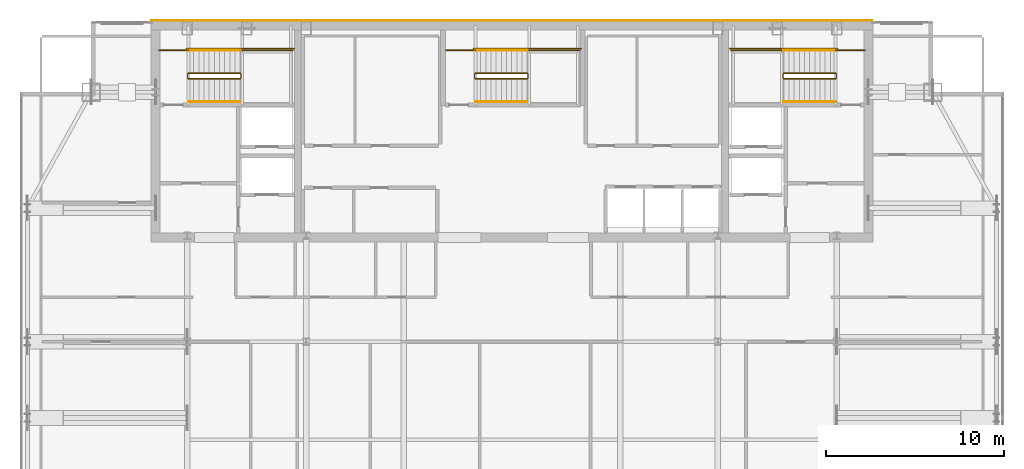
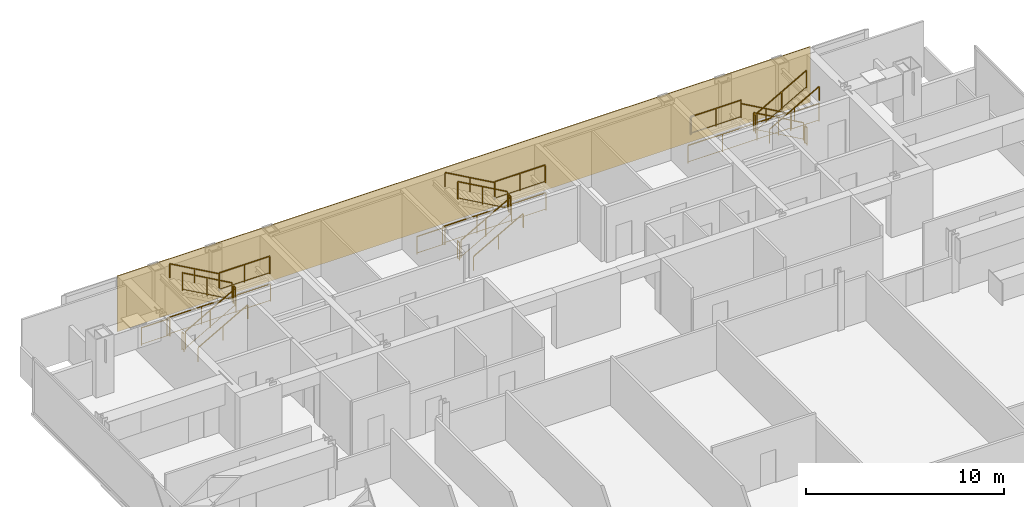
# One storey, part 26 of 26: 27 railings, 1 covering.
"""IFC4 building model written with IfcOpenShell, lengths in metres."""

from ifc_helpers import new_model, si_unit, direction, frame, origin, origin_2d, place, context, subcontext, project, spatial, polyline, rectangle, outline, extrude, material, layer, layer_set, type_object, element, save


model = new_model("IFC4")

# Units and contexts
model_context = context("Model", 3, precision=1e-05, world=origin(), true_north=direction((0.0, 1.0)))
body_context = subcontext(model_context, "Body", "Model", "MODEL_VIEW")
ifc_project = project(units=[si_unit("LENGTHUNIT", "METRE"), si_unit("AREAUNIT", "SQUARE_METRE"), si_unit("VOLUMEUNIT", "CUBIC_METRE"), si_unit("PLANEANGLEUNIT", "RADIAN"), si_unit("MASSUNIT", "GRAM", prefix="KILO")], contexts=[model_context])

# Site, building, storey
site_placement = place(None, origin())
site = spatial("IfcSite", under=ifc_project, at=site_placement, CompositionType="ELEMENT")
building_placement = place(site_placement, origin())
building = spatial("IfcBuilding", under=site, at=building_placement, Name="Khoronbel Lancet Exchange", CompositionType="ELEMENT")
storey_placement = place(building_placement, frame((0.0, 0.0, 287.800048828125)))
storey = spatial("IfcBuildingStorey", under=building, at=storey_placement, Name="L74", CompositionType="ELEMENT", Elevation=287.800048828125)

# Covering
ifc_material_1 = material(Name="Honed Egyptian Limestone & Bronze Rainscreen", Category="masonry")
ifc_layer = layer(ifc_material_1, 0.050048828125, Name="Honed Egyptian Limestone & Bronze Rainscreen")
ifc_layer_set = layer_set([ifc_layer], Name="Honed Egyptian Limestone & Bronze Rainscreen")
covering_type = type_object("IfcCoveringType", Name="COV-CLAD1", PredefinedType="CLADDING", material=ifc_layer_set)
covering_placement = place(storey_placement, origin())
element("IfcCovering", 1, at=covering_placement, inside=storey, type_object=covering_type, Name="Level L74 north rear-core stone and bronze rainscreen cladding", PredefinedType="CLADDING", context=body_context, shape_type="SweptSolid", body=[
    extrude(outline(polyline([(16.199951171875, 53.699951171875), (56.699951171875, 53.699951171875), (56.699951171875, 53.75), (16.199951171875, 53.75), (16.199951171875, 53.699951171875)])), origin(), (0.0, 0.0, 1.0), 3.43994140625),
])

# Railings
ifc_material_2 = material(Name="Painted Steel Balustrade", Category="steel")
railing_type_1 = type_object("IfcRailingType", Name="RL-STG110", PredefinedType="GUARDRAIL", material=ifc_material_2)
railing_1_placement = place(storey_placement, frame((18.300048828125, 50.449951171875, 0.16357421875)))
element("IfcRailing", 2, at=railing_1_placement, inside=storey, type_object=railing_type_1, Name="L74 ST1 stair guard 1", PredefinedType="GUARDRAIL", context=body_context, shape_type="SweptSolid", body=[
    extrude(rectangle(XDim=0.048095703125, YDim=0.048095703125, at=origin_2d()), frame((0.0, 0.0, 1.09619140625), z_axis=(0.870897200241, 0.0, 0.491465224214), x_axis=(0.0, 1.0, 0.0)), (0.0, 0.0, 1.0), 3.329833984375),
    extrude(rectangle(XDim=0.02392578125, YDim=0.02392578125, at=origin_2d()), frame((0.0, 0.0, 0.080078125), z_axis=(0.870897200241, 0.0, 0.491465224214), x_axis=(0.0, 1.0, 0.0)), (0.0, 0.0, 1.0), 3.329833984375),
    extrude(rectangle(XDim=0.0419921875, YDim=0.0419921875, at=origin_2d()), origin(), (0.0, 0.0, 1.0), 1.072021484375),
    extrude(rectangle(XDim=0.0419921875, YDim=0.0419921875, at=origin_2d()), frame((1.449951171875, 0.0, 0.818359375)), (0.0, 0.0, 1.0), 1.072021484375),
    extrude(rectangle(XDim=0.0419921875, YDim=0.0419921875, at=origin_2d()), frame((2.89990234375, 0.0, 1.636474609375)), (0.0, 0.0, 1.0), 1.072021484375),
])
railing_2_placement = place(storey_placement, frame((21.25, 50.5, 1.800048828125)))
element("IfcRailing", 3, at=railing_2_placement, inside=storey, type_object=railing_type_1, Name="L74 ST1 stair guard 2", PredefinedType="GUARDRAIL", context=body_context, shape_type="SweptSolid", body=[
    extrude(rectangle(XDim=0.048095703125, YDim=0.048095703125, at=origin_2d()), frame((0.0, 0.0, 1.09619140625), z_axis=(0.0, 1.0, 0.0), x_axis=(-1.0, 0.0, 0.0)), (0.0, 0.0, 1.0), 0.219970703125),
    extrude(rectangle(XDim=0.02392578125, YDim=0.02392578125, at=origin_2d()), frame((0.0, 0.0, 0.080078125), z_axis=(0.0, 1.0, 0.0), x_axis=(-1.0, 0.0, 0.0)), (0.0, 0.0, 1.0), 0.219970703125),
    extrude(rectangle(XDim=0.0419921875, YDim=0.0419921875, at=origin_2d()), origin(), (0.0, 0.0, 1.0), 1.072021484375),
    extrude(rectangle(XDim=0.0419921875, YDim=0.0419921875, at=origin_2d()), frame((0.0, 0.219970703125, 0.0)), (0.0, 0.0, 1.0), 1.072021484375),
])
railing_3_placement = place(storey_placement, frame((21.199951171875, 52.050048828125, 1.800048828125)))
element("IfcRailing", 4, at=railing_3_placement, inside=storey, type_object=railing_type_1, Name="L74 ST1 stair guard 3", PredefinedType="GUARDRAIL", context=body_context, shape_type="SweptSolid", body=[
    extrude(rectangle(XDim=0.048095703125, YDim=0.048095703125, at=origin_2d()), frame((0.0, 0.0, 1.09619140625), z_axis=(1.0, 0.0, 0.0), x_axis=(0.0, 1.0, 0.0)), (0.0, 0.0, 1.0), 2.949951171875),
    extrude(rectangle(XDim=0.02392578125, YDim=0.02392578125, at=origin_2d()), frame((0.0, 0.0, 0.080078125), z_axis=(1.0, 0.0, 0.0), x_axis=(0.0, 1.0, 0.0)), (0.0, 0.0, 1.0), 2.949951171875),
    extrude(rectangle(XDim=0.0419921875, YDim=0.0419921875, at=origin_2d()), origin(), (0.0, 0.0, 1.0), 1.072021484375),
    extrude(rectangle(XDim=0.0419921875, YDim=0.0419921875, at=origin_2d()), frame((1.47509765625, 0.0, 0.0)), (0.0, 0.0, 1.0), 1.072021484375),
    extrude(rectangle(XDim=0.0419921875, YDim=0.0419921875, at=origin_2d()), frame((2.949951171875, 0.0, 0.0)), (0.0, 0.0, 1.0), 1.072021484375),
])
railing_4_placement = place(storey_placement, frame((21.199951171875, 50.77001953125, 1.963623046875)))
element("IfcRailing", 5, at=railing_4_placement, inside=storey, type_object=railing_type_1, Name="L74 ST1 stair guard 4", PredefinedType="GUARDRAIL", context=body_context, shape_type="SweptSolid", body=[
    extrude(rectangle(XDim=0.048095703125, YDim=0.048095703125, at=origin_2d()), frame((0.0, 0.0, 1.09619140625), z_axis=(-0.870928581787, 0.0, 0.491409610636), x_axis=(0.0, -1.0, 0.0)), (0.0, 0.0, 1.0), 3.32958984375),
    extrude(rectangle(XDim=0.02392578125, YDim=0.02392578125, at=origin_2d()), frame((0.0, 0.0, 0.080078125), z_axis=(-0.870928581787, 0.0, 0.491409610636), x_axis=(0.0, -1.0, 0.0)), (0.0, 0.0, 1.0), 3.32958984375),
    extrude(rectangle(XDim=0.0419921875, YDim=0.0419921875, at=origin_2d()), origin(), (0.0, 0.0, 1.0), 1.072021484375),
    extrude(rectangle(XDim=0.0419921875, YDim=0.0419921875, at=origin_2d()), frame((-1.449951171875, 0.0, 0.818115234375)), (0.0, 0.0, 1.0), 1.072021484375),
    extrude(rectangle(XDim=0.0419921875, YDim=0.0419921875, at=origin_2d()), frame((-2.89990234375, 0.0, 1.63623046875)), (0.0, 0.0, 1.0), 1.072021484375),
])
railing_5_placement = place(storey_placement, frame((18.25, 50.5, 0.0)))
element("IfcRailing", 6, at=railing_5_placement, inside=storey, type_object=railing_type_1, Name="L74 ST1 stair guard 5", PredefinedType="GUARDRAIL", context=body_context, shape_type="SweptSolid", body=[
    extrude(rectangle(XDim=0.048095703125, YDim=0.048095703125, at=origin_2d()), frame((0.0, 0.0, 1.09619140625), z_axis=(0.0, 1.0, 0.0), x_axis=(-1.0, 0.0, 0.0)), (0.0, 0.0, 1.0), 0.219970703125),
    extrude(rectangle(XDim=0.02392578125, YDim=0.02392578125, at=origin_2d()), frame((0.0, 0.0, 0.080078125), z_axis=(0.0, 1.0, 0.0), x_axis=(-1.0, 0.0, 0.0)), (0.0, 0.0, 1.0), 0.219970703125),
    extrude(rectangle(XDim=0.0419921875, YDim=0.0419921875, at=origin_2d()), origin(), (0.0, 0.0, 1.0), 1.072021484375),
    extrude(rectangle(XDim=0.0419921875, YDim=0.0419921875, at=origin_2d()), frame((0.0, 0.219970703125, 0.0)), (0.0, 0.0, 1.0), 1.072021484375),
])
railing_6_placement = place(storey_placement, frame((16.64990234375, 52.050048828125, 0.0)))
element("IfcRailing", 7, at=railing_6_placement, inside=storey, type_object=railing_type_1, Name="L74 ST1 stair guard 6", PredefinedType="GUARDRAIL", context=body_context, shape_type="SweptSolid", body=[
    extrude(rectangle(XDim=0.048095703125, YDim=0.048095703125, at=origin_2d()), frame((0.0, 0.0, 1.09619140625), z_axis=(1.0, 0.0, 0.0), x_axis=(0.0, 1.0, 0.0)), (0.0, 0.0, 1.0), 1.650146484375),
    extrude(rectangle(XDim=0.02392578125, YDim=0.02392578125, at=origin_2d()), frame((0.0, 0.0, 0.080078125), z_axis=(1.0, 0.0, 0.0), x_axis=(0.0, 1.0, 0.0)), (0.0, 0.0, 1.0), 1.650146484375),
    extrude(rectangle(XDim=0.0419921875, YDim=0.0419921875, at=origin_2d()), origin(), (0.0, 0.0, 1.0), 1.072021484375),
    extrude(rectangle(XDim=0.0419921875, YDim=0.0419921875, at=origin_2d()), frame((1.650146484375, 0.0, 0.0)), (0.0, 0.0, 1.0), 1.072021484375),
])
railing_7_placement = place(storey_placement, frame((18.199951171875, 52.14990234375, 0.0)))
element("IfcRailing", 8, at=railing_7_placement, inside=storey, type_object=railing_type_1, Name="L74 ST1 stair guard 7", PredefinedType="GUARDRAIL", context=body_context, shape_type="SweptSolid", body=[
    extrude(rectangle(XDim=0.048095703125, YDim=0.048095703125, at=origin_2d()), frame((0.0, 0.0, 1.09619140625), z_axis=(1.0, 0.0, 0.0), x_axis=(0.0, 1.0, 0.0)), (0.0, 0.0, 1.0), 6.050048828125),
    extrude(rectangle(XDim=0.02392578125, YDim=0.02392578125, at=origin_2d()), frame((0.0, 0.0, 0.080078125), z_axis=(1.0, 0.0, 0.0), x_axis=(0.0, 1.0, 0.0)), (0.0, 0.0, 1.0), 6.050048828125),
    extrude(rectangle(XDim=0.0419921875, YDim=0.0419921875, at=origin_2d()), origin(), (0.0, 0.0, 1.0), 1.072021484375),
    extrude(rectangle(XDim=0.0419921875, YDim=0.0419921875, at=origin_2d()), frame((2.0166015625, 0.0, 0.0)), (0.0, 0.0, 1.0), 1.072021484375),
    extrude(rectangle(XDim=0.0419921875, YDim=0.0419921875, at=origin_2d()), frame((4.033447265625, 0.0, 0.0)), (0.0, 0.0, 1.0), 1.072021484375),
    extrude(rectangle(XDim=0.0419921875, YDim=0.0419921875, at=origin_2d()), frame((6.050048828125, 0.0, 0.0)), (0.0, 0.0, 1.0), 1.072021484375),
])
railing_8_placement = place(storey_placement, frame((54.60009765625, 50.77001953125, 0.16357421875)))
element("IfcRailing", 9, at=railing_8_placement, inside=storey, type_object=railing_type_1, Name="L74 ST2 stair guard 1", PredefinedType="GUARDRAIL", context=body_context, shape_type="SweptSolid", body=[
    extrude(rectangle(XDim=0.048095703125, YDim=0.048095703125, at=origin_2d()), frame((0.0, 0.0, 1.09619140625), z_axis=(-0.870914908162, 0.0, 0.491433843708), x_axis=(0.0, -1.0, 0.0)), (0.0, 0.0, 1.0), 3.330078125),
    extrude(rectangle(XDim=0.02392578125, YDim=0.02392578125, at=origin_2d()), frame((0.0, 0.0, 0.080078125), z_axis=(-0.870914908162, 0.0, 0.491433843708), x_axis=(0.0, -1.0, 0.0)), (0.0, 0.0, 1.0), 3.330078125),
    extrude(rectangle(XDim=0.0419921875, YDim=0.0419921875, at=origin_2d()), origin(), (0.0, 0.0, 1.0), 1.072021484375),
    extrude(rectangle(XDim=0.0419921875, YDim=0.0419921875, at=origin_2d()), frame((-1.4501953125, 0.0, 0.818359375)), (0.0, 0.0, 1.0), 1.072021484375),
    extrude(rectangle(XDim=0.0419921875, YDim=0.0419921875, at=origin_2d()), frame((-2.900146484375, 0.0, 1.636474609375)), (0.0, 0.0, 1.0), 1.072021484375),
])
railing_9_placement = place(storey_placement, frame((51.64990234375, 50.719970703125, 1.800048828125)))
element("IfcRailing", 10, at=railing_9_placement, inside=storey, type_object=railing_type_1, Name="L74 ST2 stair guard 2", PredefinedType="GUARDRAIL", context=body_context, shape_type="SweptSolid", body=[
    extrude(rectangle(XDim=0.048095703125, YDim=0.048095703125, at=origin_2d()), frame((0.0, 0.0, 1.09619140625), z_axis=(0.0, -1.0, 0.0), x_axis=(1.0, 0.0, 0.0)), (0.0, 0.0, 1.0), 0.219970703125),
    extrude(rectangle(XDim=0.02392578125, YDim=0.02392578125, at=origin_2d()), frame((0.0, 0.0, 0.080078125), z_axis=(0.0, -1.0, 0.0), x_axis=(1.0, 0.0, 0.0)), (0.0, 0.0, 1.0), 0.219970703125),
    extrude(rectangle(XDim=0.0419921875, YDim=0.0419921875, at=origin_2d()), origin(), (0.0, 0.0, 1.0), 1.072021484375),
    extrude(rectangle(XDim=0.0419921875, YDim=0.0419921875, at=origin_2d()), frame((0.0, -0.219970703125, 0.0)), (0.0, 0.0, 1.0), 1.072021484375),
])
railing_10_placement = place(storey_placement, frame((51.699951171875, 52.050048828125, 1.800048828125)))
element("IfcRailing", 11, at=railing_10_placement, inside=storey, type_object=railing_type_1, Name="L74 ST2 stair guard 3", PredefinedType="GUARDRAIL", context=body_context, shape_type="SweptSolid", body=[
    extrude(rectangle(XDim=0.048095703125, YDim=0.048095703125, at=origin_2d()), frame((0.0, 0.0, 1.09619140625), z_axis=(-1.0, 0.0, 0.0), x_axis=(0.0, -1.0, 0.0)), (0.0, 0.0, 1.0), 2.949951171875),
    extrude(rectangle(XDim=0.02392578125, YDim=0.02392578125, at=origin_2d()), frame((0.0, 0.0, 0.080078125), z_axis=(-1.0, 0.0, 0.0), x_axis=(0.0, -1.0, 0.0)), (0.0, 0.0, 1.0), 2.949951171875),
    extrude(rectangle(XDim=0.0419921875, YDim=0.0419921875, at=origin_2d()), origin(), (0.0, 0.0, 1.0), 1.072021484375),
    extrude(rectangle(XDim=0.0419921875, YDim=0.0419921875, at=origin_2d()), frame((-1.47509765625, 0.0, 0.0)), (0.0, 0.0, 1.0), 1.072021484375),
    extrude(rectangle(XDim=0.0419921875, YDim=0.0419921875, at=origin_2d()), frame((-2.949951171875, 0.0, 0.0)), (0.0, 0.0, 1.0), 1.072021484375),
])
railing_11_placement = place(storey_placement, frame((51.699951171875, 50.449951171875, 1.963623046875)))
element("IfcRailing", 12, at=railing_11_placement, inside=storey, type_object=railing_type_1, Name="L74 ST2 stair guard 4", PredefinedType="GUARDRAIL", context=body_context, shape_type="SweptSolid", body=[
    extrude(rectangle(XDim=0.048095703125, YDim=0.048095703125, at=origin_2d()), frame((0.0, 0.0, 1.09619140625), z_axis=(0.870946286338, 0.0, 0.49137823142), x_axis=(0.0, 1.0, 0.0)), (0.0, 0.0, 1.0), 3.329833984375),
    extrude(rectangle(XDim=0.02392578125, YDim=0.02392578125, at=origin_2d()), frame((0.0, 0.0, 0.080078125), z_axis=(0.870946286338, 0.0, 0.49137823142), x_axis=(0.0, 1.0, 0.0)), (0.0, 0.0, 1.0), 3.329833984375),
    extrude(rectangle(XDim=0.0419921875, YDim=0.0419921875, at=origin_2d()), origin(), (0.0, 0.0, 1.0), 1.072021484375),
    extrude(rectangle(XDim=0.0419921875, YDim=0.0419921875, at=origin_2d()), frame((1.4501953125, 0.0, 0.818115234375)), (0.0, 0.0, 1.0), 1.072021484375),
    extrude(rectangle(XDim=0.0419921875, YDim=0.0419921875, at=origin_2d()), frame((2.900146484375, 0.0, 1.63623046875)), (0.0, 0.0, 1.0), 1.072021484375),
])
railing_12_placement = place(storey_placement, frame((54.64990234375, 50.719970703125, 0.0)))
element("IfcRailing", 13, at=railing_12_placement, inside=storey, type_object=railing_type_1, Name="L74 ST2 stair guard 5", PredefinedType="GUARDRAIL", context=body_context, shape_type="SweptSolid", body=[
    extrude(rectangle(XDim=0.048095703125, YDim=0.048095703125, at=origin_2d()), frame((0.0, 0.0, 1.09619140625), z_axis=(0.0, -1.0, 0.0), x_axis=(1.0, 0.0, 0.0)), (0.0, 0.0, 1.0), 0.219970703125),
    extrude(rectangle(XDim=0.02392578125, YDim=0.02392578125, at=origin_2d()), frame((0.0, 0.0, 0.080078125), z_axis=(0.0, -1.0, 0.0), x_axis=(1.0, 0.0, 0.0)), (0.0, 0.0, 1.0), 0.219970703125),
    extrude(rectangle(XDim=0.0419921875, YDim=0.0419921875, at=origin_2d()), origin(), (0.0, 0.0, 1.0), 1.072021484375),
    extrude(rectangle(XDim=0.0419921875, YDim=0.0419921875, at=origin_2d()), frame((0.0, -0.219970703125, 0.0)), (0.0, 0.0, 1.0), 1.072021484375),
])
railing_13_placement = place(storey_placement, frame((56.25, 52.050048828125, 0.0)))
element("IfcRailing", 14, at=railing_13_placement, inside=storey, type_object=railing_type_1, Name="L74 ST2 stair guard 6", PredefinedType="GUARDRAIL", context=body_context, shape_type="SweptSolid", body=[
    extrude(rectangle(XDim=0.048095703125, YDim=0.048095703125, at=origin_2d()), frame((0.0, 0.0, 1.09619140625), z_axis=(-1.0, 0.0, 0.0), x_axis=(0.0, -1.0, 0.0)), (0.0, 0.0, 1.0), 1.64990234375),
    extrude(rectangle(XDim=0.02392578125, YDim=0.02392578125, at=origin_2d()), frame((0.0, 0.0, 0.080078125), z_axis=(-1.0, 0.0, 0.0), x_axis=(0.0, -1.0, 0.0)), (0.0, 0.0, 1.0), 1.64990234375),
    extrude(rectangle(XDim=0.0419921875, YDim=0.0419921875, at=origin_2d()), origin(), (0.0, 0.0, 1.0), 1.072021484375),
    extrude(rectangle(XDim=0.0419921875, YDim=0.0419921875, at=origin_2d()), frame((-1.64990234375, 0.0, 0.0)), (0.0, 0.0, 1.0), 1.072021484375),
])
railing_14_placement = place(storey_placement, frame((54.699951171875, 52.14990234375, 0.0)))
element("IfcRailing", 15, at=railing_14_placement, inside=storey, type_object=railing_type_1, Name="L74 ST2 stair guard 7", PredefinedType="GUARDRAIL", context=body_context, shape_type="SweptSolid", body=[
    extrude(rectangle(XDim=0.048095703125, YDim=0.048095703125, at=origin_2d()), frame((0.0, 0.0, 1.09619140625), z_axis=(-1.0, 0.0, 0.0), x_axis=(0.0, -1.0, 0.0)), (0.0, 0.0, 1.0), 6.050048828125),
    extrude(rectangle(XDim=0.02392578125, YDim=0.02392578125, at=origin_2d()), frame((0.0, 0.0, 0.080078125), z_axis=(-1.0, 0.0, 0.0), x_axis=(0.0, -1.0, 0.0)), (0.0, 0.0, 1.0), 6.050048828125),
    extrude(rectangle(XDim=0.0419921875, YDim=0.0419921875, at=origin_2d()), origin(), (0.0, 0.0, 1.0), 1.072021484375),
    extrude(rectangle(XDim=0.0419921875, YDim=0.0419921875, at=origin_2d()), frame((-2.0166015625, 0.0, 0.0)), (0.0, 0.0, 1.0), 1.072021484375),
    extrude(rectangle(XDim=0.0419921875, YDim=0.0419921875, at=origin_2d()), frame((-4.033447265625, 0.0, 0.0)), (0.0, 0.0, 1.0), 1.072021484375),
    extrude(rectangle(XDim=0.0419921875, YDim=0.0419921875, at=origin_2d()), frame((-6.050048828125, 0.0, 0.0)), (0.0, 0.0, 1.0), 1.072021484375),
])
railing_15_placement = place(storey_placement, frame((34.39990234375, 50.449951171875, 0.16357421875)))
element("IfcRailing", 16, at=railing_15_placement, inside=storey, type_object=railing_type_1, Name="L74 ST3 stair guard 1", PredefinedType="GUARDRAIL", context=body_context, shape_type="SweptSolid", body=[
    extrude(rectangle(XDim=0.048095703125, YDim=0.048095703125, at=origin_2d()), frame((0.0, 0.0, 1.09619140625), z_axis=(0.870914908162, 0.0, 0.491433843708), x_axis=(0.0, 1.0, 0.0)), (0.0, 0.0, 1.0), 3.330078125),
    extrude(rectangle(XDim=0.02392578125, YDim=0.02392578125, at=origin_2d()), frame((0.0, 0.0, 0.080078125), z_axis=(0.870914908162, 0.0, 0.491433843708), x_axis=(0.0, 1.0, 0.0)), (0.0, 0.0, 1.0), 3.330078125),
    extrude(rectangle(XDim=0.0419921875, YDim=0.0419921875, at=origin_2d()), origin(), (0.0, 0.0, 1.0), 1.072021484375),
    extrude(rectangle(XDim=0.0419921875, YDim=0.0419921875, at=origin_2d()), frame((1.4501953125, 0.0, 0.818359375)), (0.0, 0.0, 1.0), 1.072021484375),
    extrude(rectangle(XDim=0.0419921875, YDim=0.0419921875, at=origin_2d()), frame((2.900146484375, 0.0, 1.636474609375)), (0.0, 0.0, 1.0), 1.072021484375),
])
railing_16_placement = place(storey_placement, frame((37.35009765625, 50.5, 1.800048828125)))
element("IfcRailing", 17, at=railing_16_placement, inside=storey, type_object=railing_type_1, Name="L74 ST3 stair guard 2", PredefinedType="GUARDRAIL", context=body_context, shape_type="SweptSolid", body=[
    extrude(rectangle(XDim=0.048095703125, YDim=0.048095703125, at=origin_2d()), frame((0.0, 0.0, 1.09619140625), z_axis=(0.0, 1.0, 0.0), x_axis=(-1.0, 0.0, 0.0)), (0.0, 0.0, 1.0), 0.219970703125),
    extrude(rectangle(XDim=0.02392578125, YDim=0.02392578125, at=origin_2d()), frame((0.0, 0.0, 0.080078125), z_axis=(0.0, 1.0, 0.0), x_axis=(-1.0, 0.0, 0.0)), (0.0, 0.0, 1.0), 0.219970703125),
    extrude(rectangle(XDim=0.0419921875, YDim=0.0419921875, at=origin_2d()), origin(), (0.0, 0.0, 1.0), 1.072021484375),
    extrude(rectangle(XDim=0.0419921875, YDim=0.0419921875, at=origin_2d()), frame((0.0, 0.219970703125, 0.0)), (0.0, 0.0, 1.0), 1.072021484375),
])
railing_17_placement = place(storey_placement, frame((37.300048828125, 52.050048828125, 1.800048828125)))
element("IfcRailing", 18, at=railing_17_placement, inside=storey, type_object=railing_type_1, Name="L74 ST3 stair guard 3", PredefinedType="GUARDRAIL", context=body_context, shape_type="SweptSolid", body=[
    extrude(rectangle(XDim=0.048095703125, YDim=0.048095703125, at=origin_2d()), frame((0.0, 0.0, 1.09619140625), z_axis=(1.0, 0.0, 0.0), x_axis=(0.0, 1.0, 0.0)), (0.0, 0.0, 1.0), 2.949951171875),
    extrude(rectangle(XDim=0.02392578125, YDim=0.02392578125, at=origin_2d()), frame((0.0, 0.0, 0.080078125), z_axis=(1.0, 0.0, 0.0), x_axis=(0.0, 1.0, 0.0)), (0.0, 0.0, 1.0), 2.949951171875),
    extrude(rectangle(XDim=0.0419921875, YDim=0.0419921875, at=origin_2d()), origin(), (0.0, 0.0, 1.0), 1.072021484375),
    extrude(rectangle(XDim=0.0419921875, YDim=0.0419921875, at=origin_2d()), frame((1.47509765625, 0.0, 0.0)), (0.0, 0.0, 1.0), 1.072021484375),
    extrude(rectangle(XDim=0.0419921875, YDim=0.0419921875, at=origin_2d()), frame((2.949951171875, 0.0, 0.0)), (0.0, 0.0, 1.0), 1.072021484375),
])
railing_18_placement = place(storey_placement, frame((37.300048828125, 50.77001953125, 1.963623046875)))
element("IfcRailing", 19, at=railing_18_placement, inside=storey, type_object=railing_type_1, Name="L74 ST3 stair guard 4", PredefinedType="GUARDRAIL", context=body_context, shape_type="SweptSolid", body=[
    extrude(rectangle(XDim=0.048095703125, YDim=0.048095703125, at=origin_2d()), frame((0.0, 0.0, 1.09619140625), z_axis=(-0.870946286338, 0.0, 0.49137823142), x_axis=(0.0, -1.0, 0.0)), (0.0, 0.0, 1.0), 3.329833984375),
    extrude(rectangle(XDim=0.02392578125, YDim=0.02392578125, at=origin_2d()), frame((0.0, 0.0, 0.080078125), z_axis=(-0.870946286338, 0.0, 0.49137823142), x_axis=(0.0, -1.0, 0.0)), (0.0, 0.0, 1.0), 3.329833984375),
    extrude(rectangle(XDim=0.0419921875, YDim=0.0419921875, at=origin_2d()), origin(), (0.0, 0.0, 1.0), 1.072021484375),
    extrude(rectangle(XDim=0.0419921875, YDim=0.0419921875, at=origin_2d()), frame((-1.4501953125, 0.0, 0.818115234375)), (0.0, 0.0, 1.0), 1.072021484375),
    extrude(rectangle(XDim=0.0419921875, YDim=0.0419921875, at=origin_2d()), frame((-2.900146484375, 0.0, 1.63623046875)), (0.0, 0.0, 1.0), 1.072021484375),
])
railing_19_placement = place(storey_placement, frame((34.35009765625, 50.5, 0.0)))
element("IfcRailing", 20, at=railing_19_placement, inside=storey, type_object=railing_type_1, Name="L74 ST3 stair guard 5", PredefinedType="GUARDRAIL", context=body_context, shape_type="SweptSolid", body=[
    extrude(rectangle(XDim=0.048095703125, YDim=0.048095703125, at=origin_2d()), frame((0.0, 0.0, 1.09619140625), z_axis=(0.0, 1.0, 0.0), x_axis=(-1.0, 0.0, 0.0)), (0.0, 0.0, 1.0), 0.219970703125),
    extrude(rectangle(XDim=0.02392578125, YDim=0.02392578125, at=origin_2d()), frame((0.0, 0.0, 0.080078125), z_axis=(0.0, 1.0, 0.0), x_axis=(-1.0, 0.0, 0.0)), (0.0, 0.0, 1.0), 0.219970703125),
    extrude(rectangle(XDim=0.0419921875, YDim=0.0419921875, at=origin_2d()), origin(), (0.0, 0.0, 1.0), 1.072021484375),
    extrude(rectangle(XDim=0.0419921875, YDim=0.0419921875, at=origin_2d()), frame((0.0, 0.219970703125, 0.0)), (0.0, 0.0, 1.0), 1.072021484375),
])
railing_20_placement = place(storey_placement, frame((32.75, 52.050048828125, 0.0)))
element("IfcRailing", 21, at=railing_20_placement, inside=storey, type_object=railing_type_1, Name="L74 ST3 stair guard 6", PredefinedType="GUARDRAIL", context=body_context, shape_type="SweptSolid", body=[
    extrude(rectangle(XDim=0.048095703125, YDim=0.048095703125, at=origin_2d()), frame((0.0, 0.0, 1.09619140625), z_axis=(1.0, 0.0, 0.0), x_axis=(0.0, 1.0, 0.0)), (0.0, 0.0, 1.0), 1.64990234375),
    extrude(rectangle(XDim=0.02392578125, YDim=0.02392578125, at=origin_2d()), frame((0.0, 0.0, 0.080078125), z_axis=(1.0, 0.0, 0.0), x_axis=(0.0, 1.0, 0.0)), (0.0, 0.0, 1.0), 1.64990234375),
    extrude(rectangle(XDim=0.0419921875, YDim=0.0419921875, at=origin_2d()), origin(), (0.0, 0.0, 1.0), 1.072021484375),
    extrude(rectangle(XDim=0.0419921875, YDim=0.0419921875, at=origin_2d()), frame((1.64990234375, 0.0, 0.0)), (0.0, 0.0, 1.0), 1.072021484375),
])
railing_21_placement = place(storey_placement, frame((34.300048828125, 52.14990234375, 0.0)))
element("IfcRailing", 22, at=railing_21_placement, inside=storey, type_object=railing_type_1, Name="L74 ST3 stair guard 7", PredefinedType="GUARDRAIL", context=body_context, shape_type="SweptSolid", body=[
    extrude(rectangle(XDim=0.048095703125, YDim=0.048095703125, at=origin_2d()), frame((0.0, 0.0, 1.09619140625), z_axis=(1.0, 0.0, 0.0), x_axis=(0.0, 1.0, 0.0)), (0.0, 0.0, 1.0), 6.050048828125),
    extrude(rectangle(XDim=0.02392578125, YDim=0.02392578125, at=origin_2d()), frame((0.0, 0.0, 0.080078125), z_axis=(1.0, 0.0, 0.0), x_axis=(0.0, 1.0, 0.0)), (0.0, 0.0, 1.0), 6.050048828125),
    extrude(rectangle(XDim=0.0419921875, YDim=0.0419921875, at=origin_2d()), origin(), (0.0, 0.0, 1.0), 1.072021484375),
    extrude(rectangle(XDim=0.0419921875, YDim=0.0419921875, at=origin_2d()), frame((2.0166015625, 0.0, 0.0)), (0.0, 0.0, 1.0), 1.072021484375),
    extrude(rectangle(XDim=0.0419921875, YDim=0.0419921875, at=origin_2d()), frame((4.033447265625, 0.0, 0.0)), (0.0, 0.0, 1.0), 1.072021484375),
    extrude(rectangle(XDim=0.0419921875, YDim=0.0419921875, at=origin_2d()), frame((6.050048828125, 0.0, 0.0)), (0.0, 0.0, 1.0), 1.072021484375),
])
ifc_material_3 = material(Name="Brushed Stainless Steel 316", Category="steel")
railing_type_2 = type_object("IfcRailingType", Name="RL-STH92", PredefinedType="HANDRAIL", material=ifc_material_3)
railing_22_placement = place(storey_placement, frame((18.300048828125, 49.169921875, 0.16357421875)))
element("IfcRailing", 23, at=railing_22_placement, inside=storey, type_object=railing_type_2, Name="L74 ST1 stair handrail 1", PredefinedType="HANDRAIL", context=body_context, shape_type="SweptSolid", body=[
    extrude(rectangle(XDim=0.048095703125, YDim=0.048095703125, at=origin_2d()), frame((0.0, 0.0, 0.8759765625), z_axis=(0.870897200241, 0.0, 0.491465224214), x_axis=(0.0, 1.0, 0.0)), (0.0, 0.0, 1.0), 3.329833984375),
    extrude(rectangle(XDim=0.0419921875, YDim=0.0419921875, at=origin_2d()), origin(), (0.0, 0.0, 1.0), 0.851806640625),
    extrude(rectangle(XDim=0.0419921875, YDim=0.0419921875, at=origin_2d()), frame((1.449951171875, 0.0, 0.818359375)), (0.0, 0.0, 1.0), 0.851806640625),
    extrude(rectangle(XDim=0.0419921875, YDim=0.0419921875, at=origin_2d()), frame((2.89990234375, 0.0, 1.636474609375)), (0.0, 0.0, 1.0), 0.851806640625),
])
railing_23_placement = place(storey_placement, frame((21.199951171875, 52.050048828125, 1.963623046875)))
element("IfcRailing", 24, at=railing_23_placement, inside=storey, type_object=railing_type_2, Name="L74 ST1 stair handrail 2", PredefinedType="HANDRAIL", context=body_context, shape_type="SweptSolid", body=[
    extrude(rectangle(XDim=0.048095703125, YDim=0.048095703125, at=origin_2d()), frame((0.0, 0.0, 0.8759765625), z_axis=(-0.870928581787, 0.0, 0.491409610636), x_axis=(0.0, -1.0, 0.0)), (0.0, 0.0, 1.0), 3.32958984375),
    extrude(rectangle(XDim=0.0419921875, YDim=0.0419921875, at=origin_2d()), origin(), (0.0, 0.0, 1.0), 0.851806640625),
    extrude(rectangle(XDim=0.0419921875, YDim=0.0419921875, at=origin_2d()), frame((-1.449951171875, 0.0, 0.818115234375)), (0.0, 0.0, 1.0), 0.851806640625),
    extrude(rectangle(XDim=0.0419921875, YDim=0.0419921875, at=origin_2d()), frame((-2.89990234375, 0.0, 1.63623046875)), (0.0, 0.0, 1.0), 0.851806640625),
])
railing_24_placement = place(storey_placement, frame((54.60009765625, 52.050048828125, 0.16357421875)))
element("IfcRailing", 25, at=railing_24_placement, inside=storey, type_object=railing_type_2, Name="L74 ST2 stair handrail 1", PredefinedType="HANDRAIL", context=body_context, shape_type="SweptSolid", body=[
    extrude(rectangle(XDim=0.048095703125, YDim=0.048095703125, at=origin_2d()), frame((0.0, 0.0, 0.8759765625), z_axis=(-0.870914908162, 0.0, 0.491433843708), x_axis=(0.0, -1.0, 0.0)), (0.0, 0.0, 1.0), 3.330078125),
    extrude(rectangle(XDim=0.0419921875, YDim=0.0419921875, at=origin_2d()), origin(), (0.0, 0.0, 1.0), 0.851806640625),
    extrude(rectangle(XDim=0.0419921875, YDim=0.0419921875, at=origin_2d()), frame((-1.4501953125, 0.0, 0.818359375)), (0.0, 0.0, 1.0), 0.851806640625),
    extrude(rectangle(XDim=0.0419921875, YDim=0.0419921875, at=origin_2d()), frame((-2.900146484375, 0.0, 1.636474609375)), (0.0, 0.0, 1.0), 0.851806640625),
])
railing_25_placement = place(storey_placement, frame((51.699951171875, 49.169921875, 1.963623046875)))
element("IfcRailing", 26, at=railing_25_placement, inside=storey, type_object=railing_type_2, Name="L74 ST2 stair handrail 2", PredefinedType="HANDRAIL", context=body_context, shape_type="SweptSolid", body=[
    extrude(rectangle(XDim=0.048095703125, YDim=0.048095703125, at=origin_2d()), frame((0.0, 0.0, 0.8759765625), z_axis=(0.870946286338, 0.0, 0.49137823142), x_axis=(0.0, 1.0, 0.0)), (0.0, 0.0, 1.0), 3.329833984375),
    extrude(rectangle(XDim=0.0419921875, YDim=0.0419921875, at=origin_2d()), origin(), (0.0, 0.0, 1.0), 0.851806640625),
    extrude(rectangle(XDim=0.0419921875, YDim=0.0419921875, at=origin_2d()), frame((1.4501953125, 0.0, 0.818115234375)), (0.0, 0.0, 1.0), 0.851806640625),
    extrude(rectangle(XDim=0.0419921875, YDim=0.0419921875, at=origin_2d()), frame((2.900146484375, 0.0, 1.63623046875)), (0.0, 0.0, 1.0), 0.851806640625),
])
railing_26_placement = place(storey_placement, frame((34.39990234375, 49.169921875, 0.16357421875)))
element("IfcRailing", 27, at=railing_26_placement, inside=storey, type_object=railing_type_2, Name="L74 ST3 stair handrail 1", PredefinedType="HANDRAIL", context=body_context, shape_type="SweptSolid", body=[
    extrude(rectangle(XDim=0.048095703125, YDim=0.048095703125, at=origin_2d()), frame((0.0, 0.0, 0.8759765625), z_axis=(0.870914908162, 0.0, 0.491433843708), x_axis=(0.0, 1.0, 0.0)), (0.0, 0.0, 1.0), 3.330078125),
    extrude(rectangle(XDim=0.0419921875, YDim=0.0419921875, at=origin_2d()), origin(), (0.0, 0.0, 1.0), 0.851806640625),
    extrude(rectangle(XDim=0.0419921875, YDim=0.0419921875, at=origin_2d()), frame((1.4501953125, 0.0, 0.818359375)), (0.0, 0.0, 1.0), 0.851806640625),
    extrude(rectangle(XDim=0.0419921875, YDim=0.0419921875, at=origin_2d()), frame((2.900146484375, 0.0, 1.636474609375)), (0.0, 0.0, 1.0), 0.851806640625),
])
railing_27_placement = place(storey_placement, frame((37.300048828125, 52.050048828125, 1.963623046875)))
element("IfcRailing", 28, at=railing_27_placement, inside=storey, type_object=railing_type_2, Name="L74 ST3 stair handrail 2", PredefinedType="HANDRAIL", context=body_context, shape_type="SweptSolid", body=[
    extrude(rectangle(XDim=0.048095703125, YDim=0.048095703125, at=origin_2d()), frame((0.0, 0.0, 0.8759765625), z_axis=(-0.870946286338, 0.0, 0.49137823142), x_axis=(0.0, -1.0, 0.0)), (0.0, 0.0, 1.0), 3.329833984375),
    extrude(rectangle(XDim=0.0419921875, YDim=0.0419921875, at=origin_2d()), origin(), (0.0, 0.0, 1.0), 0.851806640625),
    extrude(rectangle(XDim=0.0419921875, YDim=0.0419921875, at=origin_2d()), frame((-1.4501953125, 0.0, 0.818115234375)), (0.0, 0.0, 1.0), 0.851806640625),
    extrude(rectangle(XDim=0.0419921875, YDim=0.0419921875, at=origin_2d()), frame((-2.900146484375, 0.0, 1.63623046875)), (0.0, 0.0, 1.0), 0.851806640625),
])

save(model, "model.ifc")
